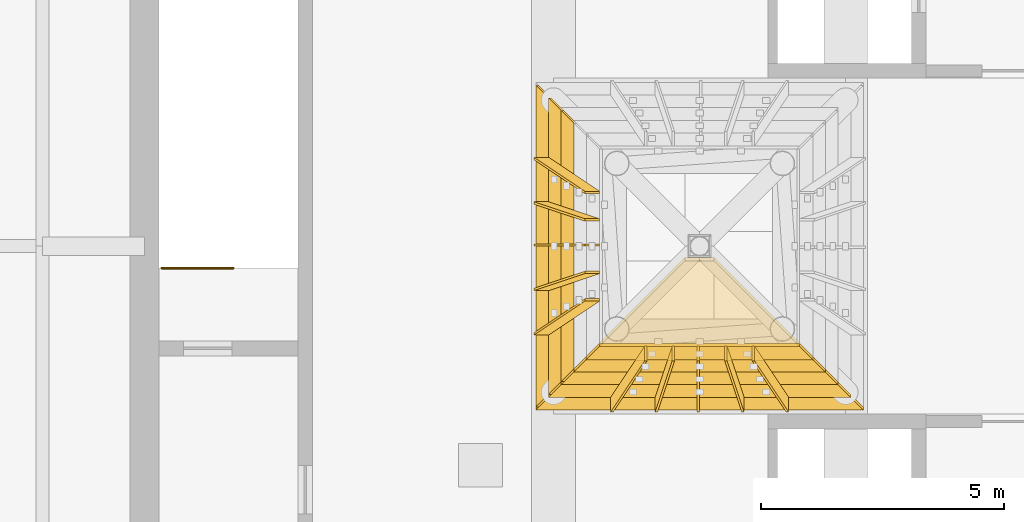
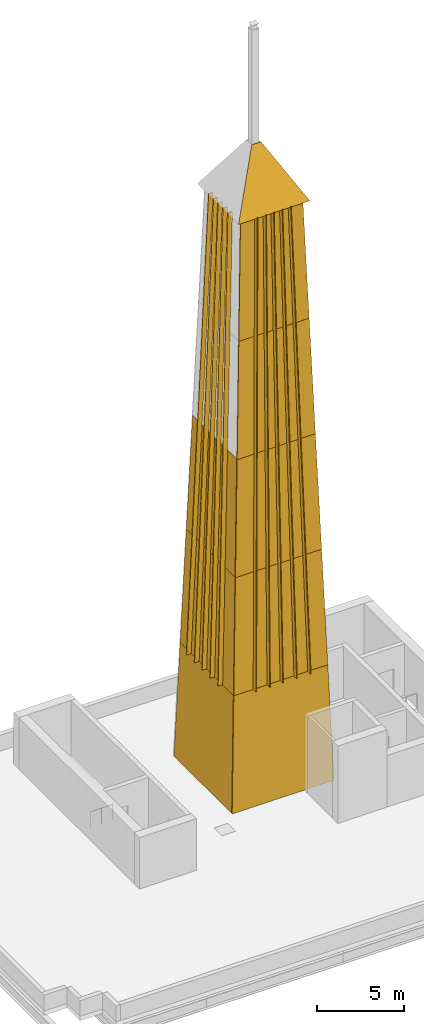
# One storey, part 6 of 8: 19 coverings, 1 railing.
"""IFC4 building model written with IfcOpenShell, lengths in metres."""

from ifc_helpers import new_model, si_unit, direction, frame, origin, origin_2d, place, context, subcontext, project, spatial, polyline, circle, outline, extrude, material, layer, layer_set, type_object, element, save


model = new_model("IFC4")

# Units and contexts
model_context = context("Model", 3, precision=1e-05, world=origin(), true_north=direction((0.0, 1.0)))
body_context = subcontext(model_context, "Body", "Model", "MODEL_VIEW")
ifc_project = project(units=[si_unit("LENGTHUNIT", "METRE"), si_unit("AREAUNIT", "SQUARE_METRE"), si_unit("VOLUMEUNIT", "CUBIC_METRE"), si_unit("PLANEANGLEUNIT", "RADIAN"), si_unit("MASSUNIT", "GRAM", prefix="KILO")], contexts=[model_context])

# Site, building, storey
site_placement = place(None, origin())
site = spatial("IfcSite", under=ifc_project, at=site_placement, CompositionType="ELEMENT")
building_placement = place(site_placement, origin())
building = spatial("IfcBuilding", under=site, at=building_placement, Name="Loomwork Tower", CompositionType="ELEMENT")
storey_placement = place(building_placement, frame((0.0, 0.0, 279.800048828125)))
storey = spatial("IfcBuildingStorey", under=building, at=storey_placement, Name="RF", CompositionType="ELEMENT", Elevation=279.800048828125)

# Coverings
ifc_material_1 = material(Name="Aluminium, bronze anodised", Category="aluminium")
ifc_layer_1 = layer(ifc_material_1, 0.050048828125)
ifc_layer_set_1 = layer_set([ifc_layer_1], Name="Crown bronze fin 300")
covering_type_1 = type_object("IfcCoveringType", Name="Crown bronze fin 300", PredefinedType="CLADDING", material=ifc_layer_set_1)
covering_1_placement = place(storey_placement, frame((20.67333984375, 14.89892578125, 8.0), z_axis=(-0.999765419657, 0.0, 0.021658847096), x_axis=(0.021647420496, 0.032478694483, 0.999237971452)))
element("IfcCovering", 1, at=covering_1_placement, inside=storey, type_object=covering_type_1, Name="Crown fin south 1", PredefinedType="CLADDING", context=body_context, shape_type="SweptSolid", body=[
    extrude(outline(polyline([(0.0, 0.0), (32.2777704106588, 0.0), (32.267930064015005, -0.30281867265454143), (-0.00984034664380143, -0.30281867265454127), (0.0, 0.0)])), origin(), (0.0, 0.0, -1.0), 0.050048828125),
])
covering_2_placement = place(storey_placement, frame((21.586669921875, 14.89892578125, 8.0), z_axis=(-0.999941339434, 0.0, 0.010831329105), x_axis=(0.01082561279, 0.032484403438, 0.999413612896)))
element("IfcCovering", 2, at=covering_2_placement, inside=storey, type_object=covering_type_1, Name="Crown fin south 2", PredefinedType="CLADDING", context=body_context, shape_type="SweptSolid", body=[
    extrude(outline(polyline([(0.0, 0.0), (32.27209777008974, -2.220446049250313e-16), (32.26225569375517, -0.3028186164418445), (-0.009842076334569688, -0.30281861644184443), (0.0, 0.0)])), origin(), (0.0, 0.0, -1.0), 0.050048828125),
])
covering_3_placement = place(storey_placement, frame((22.5, 14.89892578125, 8.0), z_axis=(1.0, 0.0, 0.0), x_axis=(0.0, 0.032486307092, 0.999472180629)))
element("IfcCovering", 3, at=covering_3_placement, inside=storey, type_object=covering_type_1, Name="Crown fin south 3", PredefinedType="CLADDING", context=body_context, shape_type="SweptSolid", body=[
    extrude(outline(polyline([(0.0, 0.0), (32.27020666830693, 0.0), (32.26036401520605, 0.3028185976954917), (-0.00984265310088216, 0.30281859769549174), (0.0, 0.0)])), origin(), (0.0, 0.0, -1.0), 0.050048828125),
])
covering_4_placement = place(storey_placement, frame((23.413330078125, 14.89892578125, 8.0), z_axis=(0.999941339434, 0.0, 0.010831329105), x_axis=(-0.01082561279, 0.032484403438, 0.999413612896)))
element("IfcCovering", 4, at=covering_4_placement, inside=storey, type_object=covering_type_1, Name="Crown fin south 4", PredefinedType="CLADDING", context=body_context, shape_type="SweptSolid", body=[
    extrude(outline(polyline([(0.0, 0.0), (32.27209777008974, 2.220446049250313e-16), (32.26225569375517, 0.3028186164418445), (-0.009842076334569688, 0.30281861644184443), (0.0, 0.0)])), origin(), (0.0, 0.0, -1.0), 0.050048828125),
])
covering_5_placement = place(storey_placement, frame((24.32666015625, 14.89892578125, 8.0), z_axis=(0.999765419657, 0.0, 0.021658847096), x_axis=(-0.021647420496, 0.032478694483, 0.999237971452)))
element("IfcCovering", 5, at=covering_5_placement, inside=storey, type_object=covering_type_1, Name="Crown fin south 5", PredefinedType="CLADDING", context=body_context, shape_type="SweptSolid", body=[
    extrude(outline(polyline([(0.0, 0.0), (32.2777704106588, 0.0), (32.267930064015005, 0.30281867265454143), (-0.00984034664380143, 0.30281867265454127), (0.0, 0.0)])), origin(), (0.0, 0.0, -1.0), 0.050048828125),
])
covering_6_placement = place(storey_placement, frame((19.39892578125, 19.82666015625, 8.0), z_axis=(0.0, 0.999765419657, 0.021658847096), x_axis=(0.032478694483, -0.021647420496, 0.999237971452)))
element("IfcCovering", 6, at=covering_6_placement, inside=storey, type_object=covering_type_1, Name="Crown fin west 1", PredefinedType="CLADDING", context=body_context, shape_type="SweptSolid", body=[
    extrude(outline(polyline([(0.0, 0.0), (32.2777704106588, 0.0), (32.267930064015005, -0.30281867265454143), (-0.00984034664380143, -0.30281867265454127), (0.0, 0.0)])), origin(), (0.0, 0.0, -1.0), 0.050048828125),
])
covering_7_placement = place(storey_placement, frame((19.39892578125, 18.913330078125, 8.0), z_axis=(0.0, 0.999941339434, 0.010831329105), x_axis=(0.032484403438, -0.01082561279, 0.999413612896)))
element("IfcCovering", 7, at=covering_7_placement, inside=storey, type_object=covering_type_1, Name="Crown fin west 2", PredefinedType="CLADDING", context=body_context, shape_type="SweptSolid", body=[
    extrude(outline(polyline([(0.0, 0.0), (32.27209777008974, -2.220446049250313e-16), (32.26225569375517, -0.3028186164418445), (-0.009842076334569688, -0.30281861644184443), (0.0, 0.0)])), origin(), (0.0, 0.0, -1.0), 0.050048828125),
])
covering_8_placement = place(storey_placement, frame((19.39892578125, 18.0, 8.0), z_axis=(0.0, -1.0, 0.0), x_axis=(0.032486307092, 0.0, 0.999472180629)))
element("IfcCovering", 8, at=covering_8_placement, inside=storey, type_object=covering_type_1, Name="Crown fin west 3", PredefinedType="CLADDING", context=body_context, shape_type="SweptSolid", body=[
    extrude(outline(polyline([(0.0, 0.0), (32.27020666830693, 0.0), (32.26036401520605, 0.3028185976954917), (-0.00984265310088216, 0.30281859769549174), (0.0, 0.0)])), origin(), (0.0, 0.0, -1.0), 0.050048828125),
])
covering_9_placement = place(storey_placement, frame((19.39892578125, 17.086669921875, 8.0), z_axis=(0.0, -0.999941339434, 0.010831329105), x_axis=(0.032484403438, 0.01082561279, 0.999413612896)))
element("IfcCovering", 9, at=covering_9_placement, inside=storey, type_object=covering_type_1, Name="Crown fin west 4", PredefinedType="CLADDING", context=body_context, shape_type="SweptSolid", body=[
    extrude(outline(polyline([(0.0, 0.0), (32.27209777008974, 2.220446049250313e-16), (32.26225569375517, 0.3028186164418445), (-0.009842076334569688, 0.30281861644184443), (0.0, 0.0)])), origin(), (0.0, 0.0, -1.0), 0.050048828125),
])
covering_10_placement = place(storey_placement, frame((19.39892578125, 16.17333984375, 8.0), z_axis=(0.0, -0.999765419657, 0.021658847096), x_axis=(0.032478694483, 0.021647420496, 0.999237971452)))
element("IfcCovering", 10, at=covering_10_placement, inside=storey, type_object=covering_type_1, Name="Crown fin west 5", PredefinedType="CLADDING", context=body_context, shape_type="SweptSolid", body=[
    extrude(outline(polyline([(0.0, 0.0), (32.2777704106588, 0.0), (32.267930064015005, 0.30281867265454143), (-0.00984034664380143, 0.30281867265454127), (0.0, 0.0)])), origin(), (0.0, 0.0, -1.0), 0.050048828125),
])
ifc_material_2 = material(Name="Aluminium, bronze anodised", Category="aluminium")
ifc_layer_2 = layer(ifc_material_2, 0.06005859375)
ifc_layer_set_2 = layer_set([ifc_layer_2], Name="Crown bronze panel 60")
covering_type_2 = type_object("IfcCoveringType", Name="Crown bronze panel 60", PredefinedType="CLADDING", material=ifc_layer_set_2)
covering_11_placement = place(storey_placement, frame((19.39599609375, 14.89599609375, 8.0), z_axis=(0.0, -0.999472253395, 0.032484068294), x_axis=(1.0, 0.0, 0.0)))
element("IfcCovering", 11, at=covering_11_placement, inside=storey, type_object=covering_type_2, Name="Crown panel south tier 2", PredefinedType="CLADDING", context=body_context, shape_type="SweptSolid", body=[
    extrude(outline(polyline([(0.0, 0.0), (6.2080078125, 0.0), (5.947998046875, 8.004224202146037), (0.260009765625, 8.004224202146037), (0.0, 0.0)])), origin(), (0.0, 0.0, -1.0), 0.06005859375),
])
covering_12_placement = place(storey_placement, frame((19.656005859375, 15.156005859375, 16.0), z_axis=(0.0, -0.999472253395, 0.032484068294), x_axis=(1.0, 0.0, 0.0)))
element("IfcCovering", 12, at=covering_12_placement, inside=storey, type_object=covering_type_2, Name="Crown panel south tier 3", PredefinedType="CLADDING", context=body_context, shape_type="SweptSolid", body=[
    extrude(outline(polyline([(0.0, 0.0), (5.68798828125, 0.0), (5.427978515625, 8.004224202146037), (0.260009765625, 8.004224202146037), (0.0, 0.0)])), origin(), (0.0, 0.0, -1.0), 0.06005859375),
])
covering_13_placement = place(storey_placement, frame((19.916015625, 15.416015625, 24.0), z_axis=(0.0, -0.999472253395, 0.032484068294), x_axis=(1.0, 0.0, 0.0)))
element("IfcCovering", 13, at=covering_13_placement, inside=storey, type_object=covering_type_2, Name="Crown panel south tier 4", PredefinedType="CLADDING", context=body_context, shape_type="SweptSolid", body=[
    extrude(outline(polyline([(0.0, 0.0), (5.16796875, 0.0), (4.907958984375, 8.004224202146037), (0.260009765625, 8.004224202146037), (0.0, 0.0)])), origin(), (0.0, 0.0, -1.0), 0.06005859375),
])
covering_14_placement = place(storey_placement, frame((20.176025390625, 15.676025390625, 32.0), z_axis=(0.0, -0.999471968999, 0.032492817451), x_axis=(1.0, 0.0, 0.0)))
element("IfcCovering", 14, at=covering_14_placement, inside=storey, type_object=covering_type_2, Name="Crown panel south tier 5", PredefinedType="CLADDING", context=body_context, shape_type="SweptSolid", body=[
    extrude(outline(polyline([(0.0, 0.0), (4.64794921875, 0.0), (4.379638671875, 8.257534062104245), (0.268310546875, 8.257534062104245), (0.0, 0.0)])), origin(), (0.0, 0.0, -1.0), 0.06005859375),
])
covering_15_placement = place(storey_placement, frame((19.39599609375, 21.0439453125, 8.0), z_axis=(-0.999472253395, 0.0, 0.032484068294), x_axis=(0.0, -1.0, 0.0)))
element("IfcCovering", 15, at=covering_15_placement, inside=storey, type_object=covering_type_2, Name="Crown panel west tier 2", PredefinedType="CLADDING", context=body_context, shape_type="SweptSolid", body=[
    extrude(outline(polyline([(0.0, 0.0), (6.087890625, 0.0), (5.827880859375, 8.004224202146037), (0.260009765625, 8.004224202146037), (0.0, 0.0)])), origin(), (0.0, 0.0, -1.0), 0.06005859375),
])
covering_16_placement = place(storey_placement, frame((19.656005859375, 20.783935546875, 16.0), z_axis=(-0.999472253395, 0.0, 0.032484068294), x_axis=(0.0, -1.0, 0.0)))
element("IfcCovering", 16, at=covering_16_placement, inside=storey, type_object=covering_type_2, Name="Crown panel west tier 3", PredefinedType="CLADDING", context=body_context, shape_type="SweptSolid", body=[
    extrude(outline(polyline([(0.0, 0.0), (5.56787109375, 0.0), (5.307861328125, 8.004224202146037), (0.260009765625, 8.004224202146037), (0.0, 0.0)])), origin(), (0.0, 0.0, -1.0), 0.06005859375),
])
ifc_material_3 = material(Name="Aluminium, bronze anodised", Category="aluminium")
ifc_layer_3 = layer(ifc_material_3, 0.080078125)
ifc_layer_set_3 = layer_set([ifc_layer_3], Name="Crown cap bronze 80")
covering_type_3 = type_object("IfcCoveringType", Name="Crown cap bronze 80", PredefinedType="ROOFING", material=ifc_layer_set_3)
covering_17_placement = place(storey_placement, frame((20.144287109375, 15.644287109375, 40.203125), z_axis=(0.0, -0.86840255523, 0.495859861321), x_axis=(1.0, 0.0, 0.0)))
element("IfcCovering", 17, at=covering_17_placement, inside=storey, type_object=covering_type_3, Name="Crown cap south face", PredefinedType="ROOFING", context=body_context, shape_type="SweptSolid", body=[
    extrude(outline(polyline([(0.0, 0.0), (4.71142578125, 0.0), (2.65576171875, 4.145655300720351), (2.0556640625, 4.145655300720351), (0.0, 0.0)])), origin(), (0.0, 0.0, -1.0), 0.080078125),
])
ifc_material_4 = material(Name="Limestone", Category="masonry")
ifc_layer_4 = layer(ifc_material_4, 0.06005859375)
ifc_layer_set_4 = layer_set([ifc_layer_4], Name="Crown plinth limestone 60")
covering_type_4 = type_object("IfcCoveringType", Name="Crown plinth limestone 60", PredefinedType="CLADDING", material=ifc_layer_set_4)
covering_18_placement = place(storey_placement, frame((19.135986328125, 14.635986328125, 0.0), z_axis=(0.0, -0.999472253395, 0.032484068294), x_axis=(1.0, 0.0, 0.0)))
element("IfcCovering", 18, at=covering_18_placement, inside=storey, type_object=covering_type_4, Name="Crown plinth south tier 1", PredefinedType="CLADDING", context=body_context, shape_type="SweptSolid", body=[
    extrude(outline(polyline([(0.0, 0.0), (6.72802734375, 0.0), (6.468017578125, 8.004224202146037), (0.260009765625, 8.004224202146037), (0.0, 0.0)])), origin(), (0.0, 0.0, -1.0), 0.06005859375),
])
covering_19_placement = place(storey_placement, frame((19.135986328125, 21.303955078125, 0.0), z_axis=(-0.999472253395, 0.0, 0.032484068294), x_axis=(0.0, -1.0, 0.0)))
element("IfcCovering", 19, at=covering_19_placement, inside=storey, type_object=covering_type_4, Name="Crown plinth west tier 1", PredefinedType="CLADDING", context=body_context, shape_type="SweptSolid", body=[
    extrude(outline(polyline([(0.0, 0.0), (6.60791015625, 0.0), (6.347900390625, 8.004224202146037), (0.260009765625, 8.004224202146037), (0.0, 0.0)])), origin(), (0.0, 0.0, -1.0), 0.06005859375),
])

# Railing
ifc_material_5 = material(Name="Stainless steel and laminated glass guard", Category="steel")
railing_type = type_object("IfcRailingType", Name="Guard 1100", PredefinedType="GUARDRAIL", material=ifc_material_5)
railing_placement = place(storey_placement, frame((11.449951171875, 17.550048828125, 0.0)))
element("IfcRailing", 20, at=railing_placement, inside=storey, type_object=railing_type, Name="Stair A top landing guard", PredefinedType="GUARDRAIL", context=body_context, shape_type="SweptSolid", body=[
    extrude(circle(Radius=0.02392578125, at=origin_2d()), frame((0.0, 0.0, 1.076171875), z_axis=(1.0, 0.0, 0.0), x_axis=(0.0, 1.0, 0.0)), (0.0, 0.0, 1.0), 1.47509765625),
    extrude(circle(Radius=0.02099609375, at=origin_2d()), origin(), (0.0, 0.0, 1.0), 1.052001953125),
    extrude(circle(Radius=0.02099609375, at=origin_2d()), frame((0.737548828125, 0.0, 0.0)), (0.0, 0.0, 1.0), 1.052001953125),
    extrude(circle(Radius=0.02099609375, at=origin_2d()), frame((1.47509765625, 0.0, 0.0)), (0.0, 0.0, 1.0), 1.052001953125),
])

save(model, "model.ifc")
